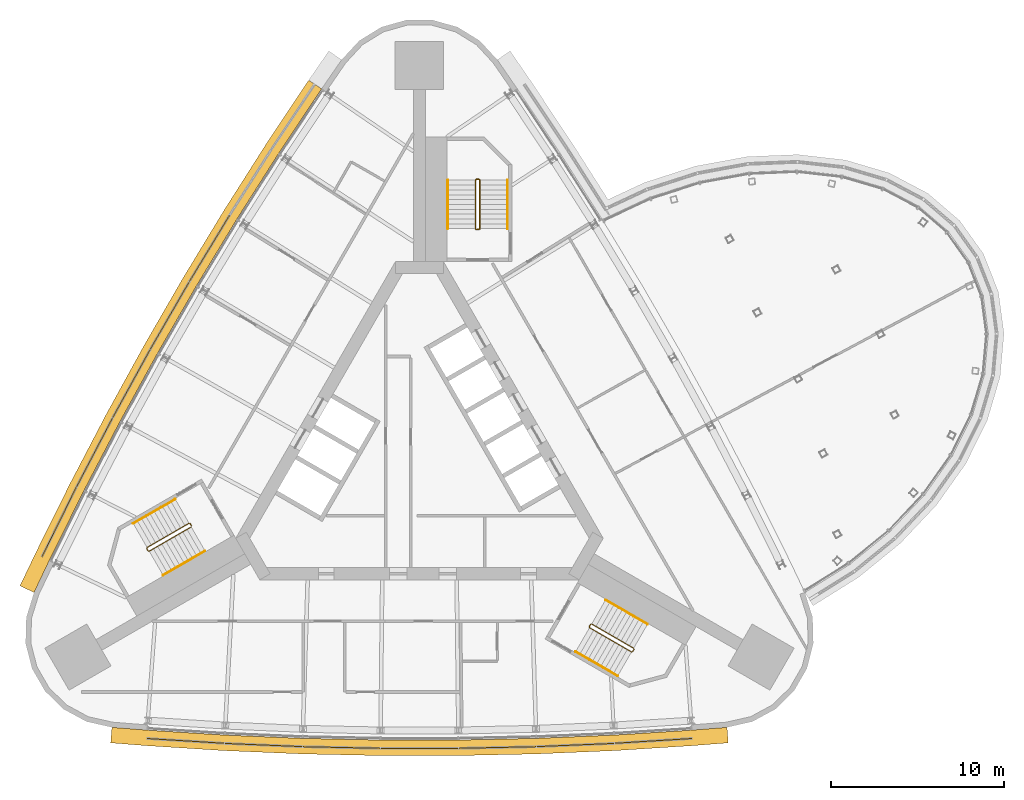
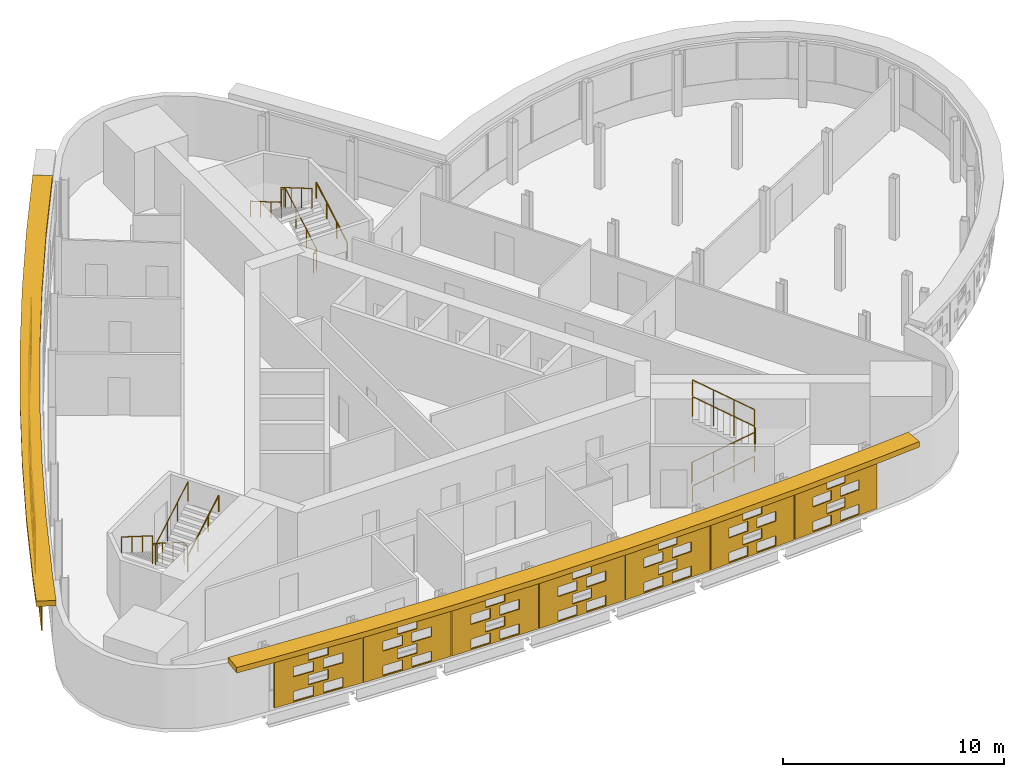
# One storey, part 13 of 15: 14 shading devices, 9 railings.
"""IFC4 building model written with IfcOpenShell, lengths in metres."""

import ifcopenshell
import ifcopenshell.guid

model = None  # the IFC model being written
_history = None  # IfcOwnerHistory: only IFC2X3 demands one
_inside = {}  # id of a spatial element -> (the spatial element, [elements in it])
_under = {}  # id of a project, library or spatial element -> (it, [spatial elements below it])
_declared = {}  # id of a project -> (the project, [libraries it declares])
_typed = {}  # id of a type object -> (the type object, [elements of that type])
_made_of = {}  # id of a material, layer set ... -> (it, [elements and type objects made of it])


def new_model(schema):
    """Start an empty IFC model of exactly this schema.

    Asked for "IFC4X3", IfcOpenShell would pick the latest addendum, in which some entities
    have other attributes; the version numbers below select the first issue.
    IFC2X3 requires an IfcOwnerHistory on every rooted entity: one is made here for all.
    """
    global model, _history
    if schema == "IFC4X3":
        model = ifcopenshell.file(schema_version=(4, 3, 0, 0))
    else:
        model = ifcopenshell.file(schema=schema)
    _inside.clear()
    _under.clear()
    _declared.clear()
    _typed.clear()
    _made_of.clear()
    _history = None
    if model.schema == "IFC2X3":
        org = make("IfcOrganization", Name="unknown")
        user = make(
            "IfcPersonAndOrganization",
            ThePerson=make("IfcPerson", FamilyName="unknown"),
            TheOrganization=org,
        )
        app = make(
            "IfcApplication",
            ApplicationDeveloper=org,
            Version="unknown",
            ApplicationFullName="unknown",
            ApplicationIdentifier="unknown",
        )
        _history = make(
            "IfcOwnerHistory",
            OwningUser=user,
            OwningApplication=app,
            ChangeAction="ADDED",
            CreationDate=0,
        )
    return model


def make(cls, **values):
    """One entity of the class cls with the attributes given. An attribute that is None is left unset."""
    return model.create_entity(
        cls, **{name: value for name, value in values.items() if value is not None}
    )


def rooted(cls, **values):
    """An entity with a GlobalId (a new one), such as an element, a storey or a relation."""
    return make(cls, GlobalId=ifcopenshell.guid.new(), OwnerHistory=_history, **values)


def si_unit(unit_type, name, prefix=None):
    """IfcSIUnit, for example si_unit("LENGTHUNIT", "METRE", prefix="MILLI")."""
    return make("IfcSIUnit", UnitType=unit_type, Prefix=prefix, Name=name)


def assignment(units):
    """IfcUnitAssignment: the units of a project."""
    return None if units is None else make("IfcUnitAssignment", Units=units)


def point(xyz):
    """IfcCartesianPoint."""
    return None if xyz is None else make("IfcCartesianPoint", Coordinates=xyz)


def direction(xyz):
    """IfcDirection."""
    return None if xyz is None else make("IfcDirection", DirectionRatios=xyz)


def frame(location, z_axis=None, x_axis=None):
    """IfcAxis2Placement3D, a coordinate frame: its origin and axes. An axis left out is left unset."""
    return make(
        "IfcAxis2Placement3D",
        Location=point(location),
        Axis=direction(z_axis),
        RefDirection=direction(x_axis),
    )


def frame_2d(location, x_axis=None):
    """IfcAxis2Placement2D, a coordinate frame in the plane: its origin and x axis."""
    return make(
        "IfcAxis2Placement2D", Location=point(location), RefDirection=direction(x_axis)
    )


def origin():
    """The frame at (0, 0, 0) with its axes left unset."""
    return frame((0.0, 0.0, 0.0))


def origin_2d():
    """The frame at (0, 0) in the plane with its x axis left unset."""
    return frame_2d((0.0, 0.0))


def place(relative_to, where):
    """IfcLocalPlacement: puts the frame where relative to a parent placement (None: the world)."""
    return make(
        "IfcLocalPlacement", PlacementRelTo=relative_to, RelativePlacement=where
    )


def context(
    kind, dimensions, precision=None, world=None, true_north=None, identifier=None
):
    """IfcGeometricRepresentationContext, for example the 3D "Model" context."""
    return make(
        "IfcGeometricRepresentationContext",
        ContextIdentifier=identifier,
        ContextType=kind,
        CoordinateSpaceDimension=dimensions,
        Precision=precision,
        WorldCoordinateSystem=world,
        TrueNorth=true_north,
    )


def subcontext(parent, identifier, kind, view, scale=None):
    """IfcGeometricRepresentationSubContext, for example "Body" below "Model"."""
    return make(
        "IfcGeometricRepresentationSubContext",
        ContextIdentifier=identifier,
        ContextType=kind,
        ParentContext=parent,
        TargetScale=scale,
        TargetView=view,
    )


def project(units=None, contexts=None):
    """IfcProject with its units and contexts."""
    return rooted(
        "IfcProject",
        Name="project",
        RepresentationContexts=contexts,
        UnitsInContext=assignment(units),
    )


def spatial(cls, under=None, at=None, **own):
    """A site, building, storey or space (cls), placed at a placement, below another one or the project."""
    s = rooted(cls, ObjectPlacement=at, **own)
    if under is not None:
        _under.setdefault(under.id(), (under, []))[1].append(s)
    return s


def polyline(points):
    """IfcPolyline through the points."""
    return make("IfcPolyline", Points=[point(p) for p in points])


def profile(cls, at=None, kind="AREA", **sizes):
    """A parametric profile (cls). Its sizes go by their IFC names, for example OverallWidth=200.0."""
    return make(cls, ProfileType=kind, Position=at, **sizes)


def circle(**sizes):
    """IfcCircleProfileDef."""
    return profile("IfcCircleProfileDef", **sizes)


def outline(outer, holes=None, kind="AREA"):
    """IfcArbitraryClosedProfileDef: a profile drawn as a closed curve; with holes, ...WithVoids."""
    if holes is None:
        return make("IfcArbitraryClosedProfileDef", ProfileType=kind, OuterCurve=outer)
    return make(
        "IfcArbitraryProfileDefWithVoids",
        ProfileType=kind,
        OuterCurve=outer,
        InnerCurves=holes,
    )


def extrude(swept, where, along, depth):
    """IfcExtrudedAreaSolid: the profile swept, set in the frame where, extruded along a direction by depth."""
    return make(
        "IfcExtrudedAreaSolid",
        SweptArea=swept,
        Position=where,
        ExtrudedDirection=direction(along),
        Depth=depth,
    )


def shape(context_of_items, identifier, shape_type, items):
    """IfcShapeRepresentation: the items that make up one representation, for example the "Body"."""
    return make(
        "IfcShapeRepresentation",
        ContextOfItems=context_of_items,
        RepresentationIdentifier=identifier,
        RepresentationType=shape_type,
        Items=items,
    )


def material(Name=None, Category=None):
    """IfcMaterial."""
    return make("IfcMaterial", Name=Name, Category=Category)


def material_profile(
    of_material, cross_section, Name=None, Category=None, Priority=None
):
    """IfcMaterialProfile: a cross section and its material."""
    return make(
        "IfcMaterialProfile",
        Name=Name,
        Material=of_material,
        Profile=cross_section,
        Priority=Priority,
        Category=Category,
    )


def profile_set(profiles, Name=None, composite=None):
    """IfcMaterialProfileSet."""
    return make(
        "IfcMaterialProfileSet",
        Name=Name,
        MaterialProfiles=profiles,
        CompositeProfile=composite,
    )


def made_of(thing, what):
    """Note that an element or type object is made of a material, layer set ...; save() writes the relation."""
    if what is not None:
        _made_of.setdefault(what.id(), (what, []))[1].append(thing)
    return thing


def type_object(cls, material=None, **own):
    """A type object (cls), such as IfcWallType, which elements share."""
    return made_of(rooted(cls, **own), material)


def element(
    cls,
    number,
    at=None,
    inside=None,
    cuts=None,
    type_object=None,
    material=None,
    context=None,
    identifier="Body",
    shape_type=None,
    held_by="IfcProductDefinitionShape",
    body=None,
    shapes=None,
    **own,
):
    """One element of the class cls, such as IfcWall. Its Tag is "e" and its number.

    at: its placement. inside: the storey or other place that contains it. cuts: it is an
    opening in that element (IfcRelVoidsElement). A single representation is given by context,
    identifier, shape_type and body (its items); several are given by shapes. held_by: the class
    of the entity that holds the representations. save() writes the other relations.
    """
    e = rooted(cls, Tag="e%d" % number, ObjectPlacement=at, **own)
    if body is not None:
        shapes = [shape(context, identifier, shape_type, body)]
    if shapes is not None:
        e.Representation = make(held_by, Representations=shapes)
    if inside is not None:
        _inside.setdefault(inside.id(), (inside, []))[1].append(e)
    if cuts is not None:
        rooted(
            "IfcRelVoidsElement", RelatingBuildingElement=cuts, RelatedOpeningElement=e
        )
    if type_object is not None:
        _typed.setdefault(type_object.id(), (type_object, []))[1].append(e)
    return made_of(e, material)


def aggregate(whole, parts):
    """IfcRelAggregates: a whole, such as a stair, and the parts it consists of."""
    return rooted("IfcRelAggregates", RelatingObject=whole, RelatedObjects=parts)


def save(model, path):
    """Write the relations noted so far, then the file.

    IfcRelAggregates (storeys below a building ...), IfcRelContainedInSpatialStructure (elements
    in a storey), IfcRelDefinesByType, IfcRelAssociatesMaterial and IfcRelDeclares: one each for
    every whole, place, type object, material and project.
    """
    for whole, parts in _under.values():
        aggregate(whole, parts)
    for where, things in _inside.values():
        rooted(
            "IfcRelContainedInSpatialStructure",
            RelatedElements=things,
            RelatingStructure=where,
        )
    for kind, things in _typed.values():
        rooted("IfcRelDefinesByType", RelatedObjects=things, RelatingType=kind)
    for what, things in _made_of.values():
        rooted("IfcRelAssociatesMaterial", RelatedObjects=things, RelatingMaterial=what)
    for by, libraries in _declared.values():
        rooted("IfcRelDeclares", RelatingContext=by, RelatedDefinitions=libraries)
    model.write(path)


model = new_model("IFC4")

# Units and contexts
model_context = context("Model", 3, precision=1e-05, world=origin(), true_north=direction((0.0, 1.0)))
body_context = subcontext(model_context, "Body", "Model", "MODEL_VIEW")
ifc_project = project(units=[si_unit("LENGTHUNIT", "METRE"), si_unit("AREAUNIT", "SQUARE_METRE"), si_unit("VOLUMEUNIT", "CUBIC_METRE"), si_unit("PLANEANGLEUNIT", "RADIAN"), si_unit("MASSUNIT", "GRAM", prefix="KILO")], contexts=[model_context])

# Site, building, storey
site_placement = place(None, origin())
site = spatial("IfcSite", under=ifc_project, at=site_placement, CompositionType="ELEMENT")
building_placement = place(site_placement, origin())
building = spatial("IfcBuilding", under=site, at=building_placement, Name="Noor Cloister Tower", CompositionType="ELEMENT")
storey_placement = place(building_placement, frame((0.0, 0.0, 174.300048828125)))
storey = spatial("IfcBuildingStorey", under=building, at=storey_placement, Name="L44", CompositionType="ELEMENT", Elevation=174.300048828125)

# Shading devices
ifc_material_1 = material(Name="Limestone", Category="masonry")
ifc_material_profile = material_profile(ifc_material_1, outline(polyline([(-2.22998046875, -1.35009765625), (2.22998046875, -1.35009765625), (2.22998046875, 1.35009765625), (-2.22998046875, 1.35009765625), (-2.22998046875, -1.35009765625)]), holes=[polyline([(-1.25, -1.282470703125), (-0.25, -1.282470703125), (-0.25, -0.742431640625), (-1.25, -0.742431640625), (-1.25, -1.282470703125)]), polyline([(0.25, -1.282470703125), (1.25, -1.282470703125), (1.25, -0.742431640625), (0.25, -0.742431640625), (0.25, -1.282470703125)]), polyline([(-0.5, -0.607421875), (0.5, -0.607421875), (0.5, -0.0673828125), (-0.5, -0.0673828125), (-0.5, -0.607421875)]), polyline([(-1.25, 0.0673828125), (-0.25, 0.0673828125), (-0.25, 0.607421875), (-1.25, 0.607421875), (-1.25, 0.0673828125)]), polyline([(0.25, 0.0673828125), (1.25, 0.0673828125), (1.25, 0.607421875), (0.25, 0.607421875), (0.25, 0.0673828125)]), polyline([(-0.5, 0.742431640625), (0.5, 0.742431640625), (0.5, 1.282470703125), (-0.5, 1.282470703125), (-0.5, 0.742431640625)])]), Name="Woven screen 32 percent open")
ifc_profile_set = profile_set([ifc_material_profile], Name="Limestone")
shading_device_type_1 = type_object("IfcShadingDeviceType", Name="SCREEN woven limestone 32 percent open", PredefinedType="USERDEFINED", material=ifc_profile_set)
shading_device_1_placement = place(storey_placement, frame((-12.10888671875, 12.197509765625, 1.849853515625), z_axis=(-0.854980050906, 0.518660883962, 0.0), x_axis=(-0.518660883962, -0.854980050906, 0.0)))
element("IfcShadingDevice", 1, at=shading_device_1_placement, inside=storey, type_object=shading_device_type_1, Name="SCREEN L44 3", ObjectType="SCREEN", PredefinedType="USERDEFINED", context=body_context, shape_type="SweptSolid", body=[
    extrude(outline(polyline([(-2.22998046875, -1.35009765625), (2.22998046875, -1.35009765625), (2.22998046875, 1.35009765625), (-2.22998046875, 1.35009765625), (-2.22998046875, -1.35009765625)]), holes=[polyline([(-1.25, -1.282470703125), (-0.25, -1.282470703125), (-0.25, -0.742431640625), (-1.25, -0.742431640625), (-1.25, -1.282470703125)]), polyline([(0.25, -1.282470703125), (1.25, -1.282470703125), (1.25, -0.742431640625), (0.25, -0.742431640625), (0.25, -1.282470703125)]), polyline([(-0.5, -0.607421875), (0.5, -0.607421875), (0.5, -0.0673828125), (-0.5, -0.0673828125), (-0.5, -0.607421875)]), polyline([(-1.25, 0.0673828125), (-0.25, 0.0673828125), (-0.25, 0.607421875), (-1.25, 0.607421875), (-1.25, 0.0673828125)]), polyline([(0.25, 0.0673828125), (1.25, 0.0673828125), (1.25, 0.607421875), (0.25, 0.607421875), (0.25, 0.0673828125)]), polyline([(-0.5, 0.742431640625), (0.5, 0.742431640625), (0.5, 1.282470703125), (-0.5, 1.282470703125), (-0.5, 0.742431640625)])]), origin(), (0.0, 0.0, 1.0), 0.060302734375),
])
shading_device_2_placement = place(storey_placement, frame((-14.40478515625, 8.316650390625, 1.849853515625), z_axis=(-0.865982457891, 0.500074377092, 0.0), x_axis=(-0.500074377092, -0.865982457891, 0.0)))
element("IfcShadingDevice", 2, at=shading_device_2_placement, inside=storey, type_object=shading_device_type_1, Name="SCREEN L44 4", ObjectType="SCREEN", PredefinedType="USERDEFINED", context=body_context, shape_type="SweptSolid", body=[
    extrude(outline(polyline([(-2.22998046875, -1.35009765625), (2.22998046875, -1.35009765625), (2.22998046875, 1.35009765625), (-2.22998046875, 1.35009765625), (-2.22998046875, -1.35009765625)]), holes=[polyline([(-1.25, -1.282470703125), (-0.25, -1.282470703125), (-0.25, -0.742431640625), (-1.25, -0.742431640625), (-1.25, -1.282470703125)]), polyline([(0.25, -1.282470703125), (1.25, -1.282470703125), (1.25, -0.742431640625), (0.25, -0.742431640625), (0.25, -1.282470703125)]), polyline([(-0.5, -0.607421875), (0.5, -0.607421875), (0.5, -0.0673828125), (-0.5, -0.0673828125), (-0.5, -0.607421875)]), polyline([(-1.25, 0.0673828125), (-0.25, 0.0673828125), (-0.25, 0.607421875), (-1.25, 0.607421875), (-1.25, 0.0673828125)]), polyline([(0.25, 0.0673828125), (1.25, 0.0673828125), (1.25, 0.607421875), (0.25, 0.607421875), (0.25, 0.0673828125)]), polyline([(-0.5, 0.742431640625), (0.5, 0.742431640625), (0.5, 1.282470703125), (-0.5, 1.282470703125), (-0.5, 0.742431640625)])]), origin(), (0.0, 0.0, 1.0), 0.06005859375),
])
shading_device_3_placement = place(storey_placement, frame((-16.617919921875, 4.387939453125, 1.849853515625), z_axis=(-0.876645997325, 0.481135942718, 0.0), x_axis=(-0.481135942718, -0.876645997325, 0.0)))
element("IfcShadingDevice", 3, at=shading_device_3_placement, inside=storey, type_object=shading_device_type_1, Name="SCREEN L44 5", ObjectType="SCREEN", PredefinedType="USERDEFINED", context=body_context, shape_type="SweptSolid", body=[
    extrude(outline(polyline([(-2.22998046875, -1.35009765625), (2.22998046875, -1.35009765625), (2.22998046875, 1.35009765625), (-2.22998046875, 1.35009765625), (-2.22998046875, -1.35009765625)]), holes=[polyline([(-1.25, -1.282470703125), (-0.25, -1.282470703125), (-0.25, -0.742431640625), (-1.25, -0.742431640625), (-1.25, -1.282470703125)]), polyline([(0.25, -1.282470703125), (1.25, -1.282470703125), (1.25, -0.742431640625), (0.25, -0.742431640625), (0.25, -1.282470703125)]), polyline([(-0.5, -0.607421875), (0.5, -0.607421875), (0.5, -0.0673828125), (-0.5, -0.0673828125), (-0.5, -0.607421875)]), polyline([(-1.25, 0.0673828125), (-0.25, 0.0673828125), (-0.25, 0.607421875), (-1.25, 0.607421875), (-1.25, 0.0673828125)]), polyline([(0.25, 0.0673828125), (1.25, 0.0673828125), (1.25, 0.607421875), (0.25, 0.607421875), (0.25, 0.0673828125)]), polyline([(-0.5, 0.742431640625), (0.5, 0.742431640625), (0.5, 1.282470703125), (-0.5, 1.282470703125), (-0.5, 0.742431640625)])]), origin(), (0.0, 0.0, 1.0), 0.059814453125),
])
for number, where, z_axis, x_axis, name in (
    (4, (-18.747314453125, 0.4130859375, 1.849853515625), (-0.886149575817, 0.463399319464, 0.0), (-0.463399319464, -0.886149575817, 0.0), "SCREEN L44 6"),
    (5, (-20.7919921875, -3.605712890625, 1.849853515625), (-0.896848817686, 0.442337199673, 0.0), (-0.442337199673, -0.896848817686, 0.0), "SCREEN L44 7"),
):
    element("IfcShadingDevice", number, at=place(storey_placement, frame(where, z_axis=z_axis, x_axis=x_axis)), inside=storey, type_object=shading_device_type_1, Name=name, ObjectType="SCREEN", PredefinedType="USERDEFINED", context=body_context, shape_type="SweptSolid", body=[
        extrude(outline(polyline([(-2.22998046875, -1.35009765625), (2.22998046875, -1.35009765625), (2.22998046875, 1.35009765625), (-2.22998046875, 1.35009765625), (-2.22998046875, -1.35009765625)]), holes=[polyline([(-1.25, -1.282470703125), (-0.25, -1.282470703125), (-0.25, -0.742431640625), (-1.25, -0.742431640625), (-1.25, -1.282470703125)]), polyline([(0.25, -1.282470703125), (1.25, -1.282470703125), (1.25, -0.742431640625), (0.25, -0.742431640625), (0.25, -1.282470703125)]), polyline([(-0.5, -0.607421875), (0.5, -0.607421875), (0.5, -0.0673828125), (-0.5, -0.0673828125), (-0.5, -0.607421875)]), polyline([(-1.25, 0.0673828125), (-0.25, 0.0673828125), (-0.25, 0.607421875), (-1.25, 0.607421875), (-1.25, 0.0673828125)]), polyline([(0.25, 0.0673828125), (1.25, 0.0673828125), (1.25, 0.607421875), (0.25, 0.607421875), (0.25, 0.0673828125)]), polyline([(-0.5, 0.742431640625), (0.5, 0.742431640625), (0.5, 1.282470703125), (-0.5, 1.282470703125), (-0.5, 0.742431640625)])]), origin(), (0.0, 0.0, 1.0), 0.06005859375),
    ])
for number, where, z_axis, x_axis, name in (
    (6, (-13.518798828125, -16.20361328125, 1.849853515625), (-0.06111006328, -0.998131033565, 0.0), (0.998131033565, -0.06111006328, 0.0), "SCREEN L44 1"),
    (7, (-9.015869140625, -16.4423828125, 1.849853515625), (-0.040782369514, -0.999168053101, 0.0), (0.999168053101, -0.040782369514, 0.0), "SCREEN L44 2"),
):
    element("IfcShadingDevice", number, at=place(storey_placement, frame(where, z_axis=z_axis, x_axis=x_axis)), inside=storey, type_object=shading_device_type_1, Name=name, ObjectType="SCREEN", PredefinedType="USERDEFINED", context=body_context, shape_type="SweptSolid", body=[
        extrude(outline(polyline([(-2.22998046875, -1.35009765625), (2.22998046875, -1.35009765625), (2.22998046875, 1.35009765625), (-2.22998046875, 1.35009765625), (-2.22998046875, -1.35009765625)]), holes=[polyline([(-1.25, -1.282470703125), (-0.25, -1.282470703125), (-0.25, -0.742431640625), (-1.25, -0.742431640625), (-1.25, -1.282470703125)]), polyline([(0.25, -1.282470703125), (1.25, -1.282470703125), (1.25, -0.742431640625), (0.25, -0.742431640625), (0.25, -1.282470703125)]), polyline([(-0.5, -0.607421875), (0.5, -0.607421875), (0.5, -0.0673828125), (-0.5, -0.0673828125), (-0.5, -0.607421875)]), polyline([(-1.25, 0.0673828125), (-0.25, 0.0673828125), (-0.25, 0.607421875), (-1.25, 0.607421875), (-1.25, 0.0673828125)]), polyline([(0.25, 0.0673828125), (1.25, 0.0673828125), (1.25, 0.607421875), (0.25, 0.607421875), (0.25, 0.0673828125)]), polyline([(-0.5, 0.742431640625), (0.5, 0.742431640625), (0.5, 1.282470703125), (-0.5, 1.282470703125), (-0.5, 0.742431640625)])]), origin(), (0.0, 0.0, 1.0), 0.059814453125),
    ])
for number, where, z_axis, x_axis, name in (
    (8, (-4.509033203125, -16.58544921875, 1.849853515625), (-0.020321006241, -0.999793507033, 0.0), (0.999793507033, -0.020321006241, 0.0), "SCREEN L44 3"),
    (9, (0.0, -16.63330078125, 1.849853515625), (0.0, -1.0, 0.0), (1.0, 0.0, 0.0), "SCREEN L44 4"),
    (10, (4.509033203125, -16.58544921875, 1.849853515625), (0.020321006241, -0.999793507033, 0.0), (0.999793507033, 0.020321006241, 0.0), "SCREEN L44 5"),
):
    element("IfcShadingDevice", number, at=place(storey_placement, frame(where, z_axis=z_axis, x_axis=x_axis)), inside=storey, type_object=shading_device_type_1, Name=name, ObjectType="SCREEN", PredefinedType="USERDEFINED", context=body_context, shape_type="SweptSolid", body=[
        extrude(outline(polyline([(-2.22998046875, -1.35009765625), (2.22998046875, -1.35009765625), (2.22998046875, 1.35009765625), (-2.22998046875, 1.35009765625), (-2.22998046875, -1.35009765625)]), holes=[polyline([(-1.25, -1.282470703125), (-0.25, -1.282470703125), (-0.25, -0.742431640625), (-1.25, -0.742431640625), (-1.25, -1.282470703125)]), polyline([(0.25, -1.282470703125), (1.25, -1.282470703125), (1.25, -0.742431640625), (0.25, -0.742431640625), (0.25, -1.282470703125)]), polyline([(-0.5, -0.607421875), (0.5, -0.607421875), (0.5, -0.0673828125), (-0.5, -0.0673828125), (-0.5, -0.607421875)]), polyline([(-1.25, 0.0673828125), (-0.25, 0.0673828125), (-0.25, 0.607421875), (-1.25, 0.607421875), (-1.25, 0.0673828125)]), polyline([(0.25, 0.0673828125), (1.25, 0.0673828125), (1.25, 0.607421875), (0.25, 0.607421875), (0.25, 0.0673828125)]), polyline([(-0.5, 0.742431640625), (0.5, 0.742431640625), (0.5, 1.282470703125), (-0.5, 1.282470703125), (-0.5, 0.742431640625)])]), origin(), (0.0, 0.0, 1.0), 0.06005859375),
    ])
for number, where, z_axis, x_axis, name in (
    (11, (9.015869140625, -16.4423828125, 1.849853515625), (0.040782369514, -0.999168053101, 0.0), (0.999168053101, 0.040782369514, 0.0), "SCREEN L44 6"),
    (12, (13.518798828125, -16.20361328125, 1.849853515625), (0.06111006328, -0.998131033565, 0.0), (0.998131033565, 0.06111006328, 0.0), "SCREEN L44 7"),
):
    element("IfcShadingDevice", number, at=place(storey_placement, frame(where, z_axis=z_axis, x_axis=x_axis)), inside=storey, type_object=shading_device_type_1, Name=name, ObjectType="SCREEN", PredefinedType="USERDEFINED", context=body_context, shape_type="SweptSolid", body=[
        extrude(outline(polyline([(-2.22998046875, -1.35009765625), (2.22998046875, -1.35009765625), (2.22998046875, 1.35009765625), (-2.22998046875, 1.35009765625), (-2.22998046875, -1.35009765625)]), holes=[polyline([(-1.25, -1.282470703125), (-0.25, -1.282470703125), (-0.25, -0.742431640625), (-1.25, -0.742431640625), (-1.25, -1.282470703125)]), polyline([(0.25, -1.282470703125), (1.25, -1.282470703125), (1.25, -0.742431640625), (0.25, -0.742431640625), (0.25, -1.282470703125)]), polyline([(-0.5, -0.607421875), (0.5, -0.607421875), (0.5, -0.0673828125), (-0.5, -0.0673828125), (-0.5, -0.607421875)]), polyline([(-1.25, 0.0673828125), (-0.25, 0.0673828125), (-0.25, 0.607421875), (-1.25, 0.607421875), (-1.25, 0.0673828125)]), polyline([(0.25, 0.0673828125), (1.25, 0.0673828125), (1.25, 0.607421875), (0.25, 0.607421875), (0.25, 0.0673828125)]), polyline([(-0.5, 0.742431640625), (0.5, 0.742431640625), (0.5, 1.282470703125), (-0.5, 1.282470703125), (-0.5, 0.742431640625)])]), origin(), (0.0, 0.0, 1.0), 0.059814453125),
    ])
ifc_material_2 = material(Name="Limestone", Category="masonry")
shading_device_type_2 = type_object("IfcShadingDeviceType", Name="SUNSHADE limestone band 900", PredefinedType="USERDEFINED", material=ifc_material_2)
shading_device_4_placement = place(storey_placement, frame((0.0, 0.0, 3.300048828125)))
element("IfcShadingDevice", 13, at=shading_device_4_placement, inside=storey, type_object=shading_device_type_2, Name="SUNSHADE L44 1", ObjectType="SUNSHADE", PredefinedType="USERDEFINED", context=body_context, shape_type="SweptSolid", body=[
    extrude(outline(polyline([(-6.401611328125, 21.931884765625), (-8.899658203125, 18.177490234375), (-11.322998046875, 14.36328125), (-13.664794921875, 10.498291015625), (-15.92431640625, 6.5849609375), (-18.100341796875, 2.624267578125), (-20.192138671875, -1.38134765625), (-22.197265625, -5.42822265625), (-23.077392578125, -7.275146484375), (-22.264892578125, -7.662353515625), (-21.387939453125, -5.821533203125), (-19.389892578125, -1.78955078125), (-17.30712890625, 2.19921875), (-15.14013671875, 6.14306640625), (-12.89013671875, 10.0400390625), (-10.55810546875, 13.888671875), (-8.145263671875, 17.68701171875), (-5.65234375, 21.43310546875), (-6.401611328125, 21.931884765625)])), origin(), (0.0, 0.0, 1.0), 0.2998046875),
])
shading_device_5_placement = place(storey_placement, frame((0.0, 0.0, 3.300048828125)))
element("IfcShadingDevice", 14, at=shading_device_5_placement, inside=storey, type_object=shading_device_type_2, Name="SUNSHADE L44 2", ObjectType="SUNSHADE", PredefinedType="USERDEFINED", context=body_context, shape_type="SweptSolid", body=[
    extrude(outline(polyline([(-17.839111328125, -16.34814453125), (-15.799560546875, -16.50927734375), (-11.29248046875, -16.796142578125), (-6.77734375, -16.987548828125), (-2.259521484375, -17.083251953125), (2.259521484375, -17.083251953125), (6.77734375, -16.987548828125), (11.29248046875, -16.796142578125), (15.799560546875, -16.50927734375), (17.839111328125, -16.34814453125), (17.76806640625, -15.450927734375), (15.735595703125, -15.611572265625), (11.24462890625, -15.8974609375), (6.748779296875, -16.087890625), (2.25, -16.183349609375), (-2.25, -16.183349609375), (-6.748779296875, -16.087890625), (-11.24462890625, -15.8974609375), (-15.735595703125, -15.611572265625), (-17.76806640625, -15.450927734375), (-17.839111328125, -16.34814453125)])), origin(), (0.0, 0.0, 1.0), 0.2998046875),
])

# Railings
ifc_material_3 = material(Name="Stainless steel", Category="steel")
railing_type_1 = type_object("IfcRailingType", Name="Stair guard 1100", PredefinedType="GUARDRAIL", material=ifc_material_3)
railing_1_placement = place(storey_placement, frame((3.435546875, 13.306396484375, 0.0)))
element("IfcRailing", 15, at=railing_1_placement, inside=storey, type_object=railing_type_1, Name="Stair guard ST1 L44", PredefinedType="GUARDRAIL", context=body_context, shape_type="SweptSolid", body=[
    extrude(circle(Radius=0.02392578125, at=origin_2d()), frame((0.0, 0.0, 1.076171875), z_axis=(-1.0, 0.0, 0.0), x_axis=(0.0, -1.0, 0.0)), (0.0, 0.0, 1.0), 0.14990234375),
    extrude(circle(Radius=0.02392578125, at=origin_2d()), frame((-0.14990234375, 0.0, 1.076171875), z_axis=(0.759870394187, 0.190199549216, 0.621627795), x_axis=(-0.242814311512, 0.970072785993, 0.0)), (0.0, 0.0, 1.0), 0.26318359375),
    extrude(circle(Radius=0.02392578125, at=origin_2d()), frame((0.050048828125, 0.050048828125, 1.23974609375), z_axis=(0.0, 0.863360870873, 0.504586966384), x_axis=(-1.0, 0.0, 0.0)), (0.0, 0.0, 1.0), 3.2431640625),
    extrude(circle(Radius=0.02392578125, at=origin_2d()), frame((0.050048828125, 2.85009765625, 2.8759765625), z_axis=(-0.708833529934, 0.705375805398, 0.0), x_axis=(-0.705375805398, -0.708833529934, 0.0)), (0.0, 0.0, 1.0), 0.070556640625),
    extrude(circle(Radius=0.02392578125, at=origin_2d()), frame((0.0, 2.89990234375, 2.8759765625), z_axis=(-1.0, 0.0, 0.0), x_axis=(0.0, -1.0, 0.0)), (0.0, 0.0, 1.0), 0.14990234375),
    extrude(circle(Radius=0.02392578125, at=origin_2d()), frame((-0.14990234375, 2.89990234375, 2.8759765625), z_axis=(-0.280916556609, -0.279546231943, 0.91811752648), x_axis=(0.705375805398, -0.708833529934, 0.0)), (0.0, 0.0, 1.0), 0.17822265625),
    extrude(circle(Radius=0.02392578125, at=origin_2d()), frame((-0.199951171875, 2.85009765625, 3.03955078125), z_axis=(0.0, -0.863393664356, 0.504530851732), x_axis=(1.0, 0.0, 0.0)), (0.0, 0.0, 1.0), 3.2431640625),
    extrude(circle(Radius=0.02099609375, at=origin_2d()), origin(), (0.0, 0.0, 1.0), 1.052001953125),
    extrude(circle(Radius=0.02099609375, at=origin_2d()), frame((-0.14990234375, 0.0, 0.0)), (0.0, 0.0, 1.0), 1.052001953125),
    extrude(circle(Radius=0.02099609375, at=origin_2d()), frame((0.050048828125, 0.050048828125, 0.16357421875)), (0.0, 0.0, 1.0), 1.052001953125),
    extrude(circle(Radius=0.02099609375, at=origin_2d()), frame((0.050048828125, 0.9833984375, 0.708984375)), (0.0, 0.0, 1.0), 1.052001953125),
    extrude(circle(Radius=0.02099609375, at=origin_2d()), frame((0.050048828125, 1.916748046875, 1.254638671875)), (0.0, 0.0, 1.0), 1.052001953125),
    extrude(circle(Radius=0.02099609375, at=origin_2d()), frame((0.050048828125, 2.85009765625, 1.800048828125)), (0.0, 0.0, 1.0), 1.052001953125),
    extrude(circle(Radius=0.02099609375, at=origin_2d()), frame((0.0, 2.89990234375, 1.800048828125)), (0.0, 0.0, 1.0), 1.052001953125),
    extrude(circle(Radius=0.02099609375, at=origin_2d()), frame((-0.14990234375, 2.89990234375, 1.800048828125)), (0.0, 0.0, 1.0), 1.052001953125),
    extrude(circle(Radius=0.02099609375, at=origin_2d()), frame((-0.199951171875, 2.85009765625, 1.963623046875)), (0.0, 0.0, 1.0), 1.052001953125),
    extrude(circle(Radius=0.02099609375, at=origin_2d()), frame((-0.199951171875, 1.916748046875, 2.509033203125)), (0.0, 0.0, 1.0), 1.052001953125),
    extrude(circle(Radius=0.02099609375, at=origin_2d()), frame((-0.199951171875, 0.9833984375, 3.054443359375)), (0.0, 0.0, 1.0), 1.052001953125),
    extrude(circle(Radius=0.02099609375, at=origin_2d()), frame((-0.199951171875, 0.050048828125, 3.599853515625)), (0.0, 0.0, 1.0), 1.052001953125),
])
railing_2_placement = place(storey_placement, frame((-13.241455078125, -3.677734375, 0.0)))
element("IfcRailing", 16, at=railing_2_placement, inside=storey, type_object=railing_type_1, Name="Stair guard ST2 L44", PredefinedType="GUARDRAIL", context=body_context, shape_type="SweptSolid", body=[
    extrude(circle(Radius=0.02392578125, at=origin_2d()), frame((0.0, 0.0, 1.076171875), z_axis=(0.499112439033, -0.866537231285, 0.0), x_axis=(0.866537231285, 0.499112439033, 0.0)), (0.0, 0.0, 1.0), 0.150146484375),
    extrude(circle(Radius=0.02392578125, at=origin_2d()), frame((0.074951171875, -0.130126953125, 1.076171875), z_axis=(-0.544565797804, 0.563119998752, 0.621565731736), x_axis=(-0.718850276695, -0.695164929852, 0.0)), (0.0, 0.0, 1.0), 0.26318359375),
    extrude(circle(Radius=0.02392578125, at=origin_2d()), frame((-0.068359375, 0.01806640625, 1.23974609375), z_axis=(-0.747689811644, -0.431660630283, 0.504607813879), x_axis=(0.49998411664, -0.866034573852, 0.0)), (0.0, 0.0, 1.0), 3.2431640625),
    extrude(circle(Radius=0.02392578125, at=origin_2d()), frame((-2.4931640625, -1.3818359375, 2.8759765625), z_axis=(-0.258736085224, -0.965948051503, 0.0), x_axis=(0.965948051503, -0.258736085224, 0.0)), (0.0, 0.0, 1.0), 0.07080078125),
    extrude(circle(Radius=0.02392578125, at=origin_2d()), frame((-2.511474609375, -1.4501953125, 2.8759765625), z_axis=(0.499816412211, -0.866131372301, 0.0), x_axis=(0.866131372301, 0.499816412211, 0.0)), (0.0, 0.0, 1.0), 0.14990234375),
    extrude(circle(Radius=0.02392578125, at=origin_2d()), frame((-2.4365234375, -1.580078125, 2.8759765625), z_axis=(0.383552647116, -0.102737316192, 0.917786691313), x_axis=(0.258736085224, 0.965948051503, 0.0)), (0.0, 0.0, 1.0), 0.17822265625),
    extrude(circle(Radius=0.02392578125, at=origin_2d()), frame((-2.3681640625, -1.598388671875, 3.03955078125), z_axis=(0.747693913401, 0.431738279637, 0.504535300807), x_axis=(-0.500049511043, 0.865996816683, 0.0)), (0.0, 0.0, 1.0), 3.2431640625),
    extrude(circle(Radius=0.02099609375, at=origin_2d()), origin(), (0.0, 0.0, 1.0), 1.052001953125),
    extrude(circle(Radius=0.02099609375, at=origin_2d()), frame((0.074951171875, -0.130126953125, 0.0)), (0.0, 0.0, 1.0), 1.052001953125),
    extrude(circle(Radius=0.02099609375, at=origin_2d()), frame((-0.068359375, 0.01806640625, 0.16357421875)), (0.0, 0.0, 1.0), 1.052001953125),
    extrude(circle(Radius=0.02099609375, at=origin_2d()), frame((-0.876708984375, -0.448486328125, 0.708984375)), (0.0, 0.0, 1.0), 1.052001953125),
    extrude(circle(Radius=0.02099609375, at=origin_2d()), frame((-1.684814453125, -0.915283203125, 1.254638671875)), (0.0, 0.0, 1.0), 1.052001953125),
    extrude(circle(Radius=0.02099609375, at=origin_2d()), frame((-2.4931640625, -1.3818359375, 1.800048828125)), (0.0, 0.0, 1.0), 1.052001953125),
    extrude(circle(Radius=0.02099609375, at=origin_2d()), frame((-2.511474609375, -1.4501953125, 1.800048828125)), (0.0, 0.0, 1.0), 1.052001953125),
    extrude(circle(Radius=0.02099609375, at=origin_2d()), frame((-2.4365234375, -1.580078125, 1.800048828125)), (0.0, 0.0, 1.0), 1.052001953125),
    extrude(circle(Radius=0.02099609375, at=origin_2d()), frame((-2.3681640625, -1.598388671875, 1.963623046875)), (0.0, 0.0, 1.0), 1.052001953125),
    extrude(circle(Radius=0.02099609375, at=origin_2d()), frame((-1.559814453125, -1.131591796875, 2.509033203125)), (0.0, 0.0, 1.0), 1.052001953125),
    extrude(circle(Radius=0.02099609375, at=origin_2d()), frame((-0.751708984375, -0.6650390625, 3.054443359375)), (0.0, 0.0, 1.0), 1.052001953125),
    extrude(circle(Radius=0.02099609375, at=origin_2d()), frame((0.056640625, -0.1982421875, 3.599853515625)), (0.0, 0.0, 1.0), 1.052001953125),
])
railing_3_placement = place(storey_placement, frame((9.805908203125, -9.628662109375, 0.0)))
element("IfcRailing", 17, at=railing_3_placement, inside=storey, type_object=railing_type_1, Name="Stair guard ST3 L44", PredefinedType="GUARDRAIL", context=body_context, shape_type="SweptSolid", body=[
    extrude(circle(Radius=0.02392578125, at=origin_2d()), frame((0.0, 0.0, 1.076171875), z_axis=(0.499112439033, 0.866537231285, 0.0), x_axis=(-0.866537231285, 0.499112439033, 0.0)), (0.0, 0.0, 1.0), 0.150146484375),
    extrude(circle(Radius=0.02392578125, at=origin_2d()), frame((0.074951171875, 0.130126953125, 1.076171875), z_axis=(-0.215214839654, -0.753251938789, 0.621525614518), x_axis=(0.961523947641, -0.274721127897, 0.0)), (0.0, 0.0, 1.0), 0.26318359375),
    extrude(circle(Radius=0.02392578125, at=origin_2d()), frame((0.018310546875, -0.068115234375, 1.23974609375), z_axis=(0.747665513933, -0.431721881032, 0.504591415616), x_axis=(0.500049511043, 0.865996816683, 0.0)), (0.0, 0.0, 1.0), 3.2431640625),
    extrude(circle(Radius=0.02392578125, at=origin_2d()), frame((2.443115234375, -1.46826171875, 2.8759765625), z_axis=(0.965948051503, 0.258736085224, 0.0), x_axis=(-0.258736085224, 0.965948051503, 0.0)), (0.0, 0.0, 1.0), 0.07080078125),
    extrude(circle(Radius=0.02392578125, at=origin_2d()), frame((2.511474609375, -1.449951171875, 2.8759765625), z_axis=(0.499816412211, 0.866131372301, 0.0), x_axis=(-0.866131372301, 0.499816412211, 0.0)), (0.0, 0.0, 1.0), 0.14990234375),
    extrude(circle(Radius=0.02392578125, at=origin_2d()), frame((2.58642578125, -1.320068359375, 2.8759765625), z_axis=(-0.102737316192, 0.383552647116, 0.917786691313), x_axis=(-0.965948051503, -0.258736085224, 0.0)), (0.0, 0.0, 1.0), 0.17822265625),
    extrude(circle(Radius=0.02392578125, at=origin_2d()), frame((2.568115234375, -1.251708984375, 3.03955078125), z_axis=(-0.74771821388, 0.431677027627, 0.504551698492), x_axis=(-0.49998411664, -0.866034573852, 0.0)), (0.0, 0.0, 1.0), 3.242919921875),
    extrude(circle(Radius=0.02099609375, at=origin_2d()), origin(), (0.0, 0.0, 1.0), 1.052001953125),
    extrude(circle(Radius=0.02099609375, at=origin_2d()), frame((0.074951171875, 0.130126953125, 0.0)), (0.0, 0.0, 1.0), 1.052001953125),
    extrude(circle(Radius=0.02099609375, at=origin_2d()), frame((0.018310546875, -0.068115234375, 0.16357421875)), (0.0, 0.0, 1.0), 1.052001953125),
    extrude(circle(Radius=0.02099609375, at=origin_2d()), frame((0.82666015625, -0.534912109375, 0.708984375)), (0.0, 0.0, 1.0), 1.052001953125),
    extrude(circle(Radius=0.02099609375, at=origin_2d()), frame((1.634765625, -1.00146484375, 1.254638671875)), (0.0, 0.0, 1.0), 1.052001953125),
    extrude(circle(Radius=0.02099609375, at=origin_2d()), frame((2.443115234375, -1.46826171875, 1.800048828125)), (0.0, 0.0, 1.0), 1.052001953125),
    extrude(circle(Radius=0.02099609375, at=origin_2d()), frame((2.511474609375, -1.449951171875, 1.800048828125)), (0.0, 0.0, 1.0), 1.052001953125),
    extrude(circle(Radius=0.02099609375, at=origin_2d()), frame((2.58642578125, -1.320068359375, 1.800048828125)), (0.0, 0.0, 1.0), 1.052001953125),
    extrude(circle(Radius=0.02099609375, at=origin_2d()), frame((2.568115234375, -1.251708984375, 1.963623046875)), (0.0, 0.0, 1.0), 1.052001953125),
    extrude(circle(Radius=0.02099609375, at=origin_2d()), frame((1.759765625, -0.78515625, 2.509033203125)), (0.0, 0.0, 1.0), 1.052001953125),
    extrude(circle(Radius=0.02099609375, at=origin_2d()), frame((0.95166015625, -0.318359375, 3.054443359375)), (0.0, 0.0, 1.0), 1.052001953125),
    extrude(circle(Radius=0.02099609375, at=origin_2d()), frame((0.143310546875, 0.148193359375, 3.599853515625)), (0.0, 0.0, 1.0), 1.052001953125),
])
ifc_material_4 = material(Name="Stainless steel", Category="steel")
railing_type_2 = type_object("IfcRailingType", Name="Stair handrail 900", PredefinedType="HANDRAIL", material=ifc_material_4)
railing_4_placement = place(storey_placement, frame((5.085693359375, 13.3564453125, 0.16357421875)))
element("IfcRailing", 18, at=railing_4_placement, inside=storey, type_object=railing_type_2, Name="Stair handrail ST1 L44 1", PredefinedType="HANDRAIL", context=body_context, shape_type="SweptSolid", body=[
    extrude(circle(Radius=0.02392578125, at=origin_2d()), frame((0.0, 0.0, 0.8759765625), z_axis=(0.0, 0.863360870873, 0.504586966384), x_axis=(-1.0, 0.0, 0.0)), (0.0, 0.0, 1.0), 3.2431640625),
    extrude(circle(Radius=0.02099609375, at=origin_2d()), origin(), (0.0, 0.0, 1.0), 0.851806640625),
    extrude(circle(Radius=0.02099609375, at=origin_2d()), frame((0.0, 0.933349609375, 0.54541015625)), (0.0, 0.0, 1.0), 0.851806640625),
    extrude(circle(Radius=0.02099609375, at=origin_2d()), frame((0.0, 1.86669921875, 1.091064453125)), (0.0, 0.0, 1.0), 0.851806640625),
    extrude(circle(Radius=0.02099609375, at=origin_2d()), frame((0.0, 2.800048828125, 1.636474609375)), (0.0, 0.0, 1.0), 0.851806640625),
])
railing_5_placement = place(storey_placement, frame((1.6357421875, 16.156494140625, 1.963623046875)))
element("IfcRailing", 19, at=railing_5_placement, inside=storey, type_object=railing_type_2, Name="Stair handrail ST1 L44 2", PredefinedType="HANDRAIL", context=body_context, shape_type="SweptSolid", body=[
    extrude(circle(Radius=0.02392578125, at=origin_2d()), frame((0.0, 0.0, 0.8759765625), z_axis=(0.0, -0.863393664356, 0.504530851732), x_axis=(1.0, 0.0, 0.0)), (0.0, 0.0, 1.0), 3.2431640625),
    extrude(circle(Radius=0.02099609375, at=origin_2d()), origin(), (0.0, 0.0, 1.0), 0.851806640625),
    extrude(circle(Radius=0.02099609375, at=origin_2d()), frame((0.0, -0.933349609375, 0.54541015625)), (0.0, 0.0, 1.0), 0.851806640625),
    extrude(circle(Radius=0.02099609375, at=origin_2d()), frame((0.0, -1.86669921875, 1.0908203125)), (0.0, 0.0, 1.0), 0.851806640625),
    extrude(circle(Radius=0.02099609375, at=origin_2d()), frame((0.0, -2.800048828125, 1.63623046875)), (0.0, 0.0, 1.0), 0.851806640625),
])
railing_6_placement = place(storey_placement, frame((-14.10986328125, -2.27392578125, 0.16357421875)))
element("IfcRailing", 20, at=railing_6_placement, inside=storey, type_object=railing_type_2, Name="Stair handrail ST2 L44 1", PredefinedType="HANDRAIL", context=body_context, shape_type="SweptSolid", body=[
    extrude(circle(Radius=0.02392578125, at=origin_2d()), frame((0.0, 0.0, 0.8759765625), z_axis=(-0.747689811644, -0.431660630283, 0.504607813879), x_axis=(0.49998411664, -0.866034573852, 0.0)), (0.0, 0.0, 1.0), 3.2431640625),
    extrude(circle(Radius=0.02099609375, at=origin_2d()), origin(), (0.0, 0.0, 1.0), 0.851806640625),
    extrude(circle(Radius=0.02099609375, at=origin_2d()), frame((-0.808349609375, -0.466552734375, 0.54541015625)), (0.0, 0.0, 1.0), 0.851806640625),
    extrude(circle(Radius=0.02099609375, at=origin_2d()), frame((-1.616455078125, -0.933349609375, 1.091064453125)), (0.0, 0.0, 1.0), 0.851806640625),
    extrude(circle(Radius=0.02099609375, at=origin_2d()), frame((-2.4248046875, -1.39990234375, 1.636474609375)), (0.0, 0.0, 1.0), 0.851806640625),
])
railing_7_placement = place(storey_placement, frame((-14.8095703125, -6.66162109375, 1.963623046875)))
element("IfcRailing", 21, at=railing_7_placement, inside=storey, type_object=railing_type_2, Name="Stair handrail ST2 L44 2", PredefinedType="HANDRAIL", context=body_context, shape_type="SweptSolid", body=[
    extrude(circle(Radius=0.02392578125, at=origin_2d()), frame((0.0, 0.0, 0.8759765625), z_axis=(0.74771821388, 0.431677027627, 0.504551698492), x_axis=(-0.49998411664, 0.866034573852, 0.0)), (0.0, 0.0, 1.0), 3.242919921875),
    extrude(circle(Radius=0.02099609375, at=origin_2d()), origin(), (0.0, 0.0, 1.0), 0.851806640625),
    extrude(circle(Radius=0.02099609375, at=origin_2d()), frame((0.808349609375, 0.466552734375, 0.54541015625)), (0.0, 0.0, 1.0), 0.851806640625),
    extrude(circle(Radius=0.02099609375, at=origin_2d()), frame((1.616455078125, 0.933349609375, 1.0908203125)), (0.0, 0.0, 1.0), 0.851806640625),
    extrude(circle(Radius=0.02099609375, at=origin_2d()), frame((2.4248046875, 1.39990234375, 1.63623046875)), (0.0, 0.0, 1.0), 0.851806640625),
])
railing_8_placement = place(storey_placement, frame((9.024169921875, -11.08251953125, 0.16357421875)))
element("IfcRailing", 22, at=railing_8_placement, inside=storey, type_object=railing_type_2, Name="Stair handrail ST3 L44 1", PredefinedType="HANDRAIL", context=body_context, shape_type="SweptSolid", body=[
    extrude(circle(Radius=0.02392578125, at=origin_2d()), frame((0.0, 0.0, 0.8759765625), z_axis=(0.747689811644, -0.431660630283, 0.504607813879), x_axis=(0.49998411664, 0.866034573852, 0.0)), (0.0, 0.0, 1.0), 3.2431640625),
    extrude(circle(Radius=0.02099609375, at=origin_2d()), origin(), (0.0, 0.0, 1.0), 0.851806640625),
    extrude(circle(Radius=0.02099609375, at=origin_2d()), frame((0.808349609375, -0.466552734375, 0.54541015625)), (0.0, 0.0, 1.0), 0.851806640625),
    extrude(circle(Radius=0.02099609375, at=origin_2d()), frame((1.616455078125, -0.933349609375, 1.091064453125)), (0.0, 0.0, 1.0), 0.851806640625),
    extrude(circle(Radius=0.02099609375, at=origin_2d()), frame((2.4248046875, -1.39990234375, 1.636474609375)), (0.0, 0.0, 1.0), 0.851806640625),
])
railing_9_placement = place(storey_placement, frame((13.174072265625, -9.49462890625, 1.963623046875)))
element("IfcRailing", 23, at=railing_9_placement, inside=storey, type_object=railing_type_2, Name="Stair handrail ST3 L44 2", PredefinedType="HANDRAIL", context=body_context, shape_type="SweptSolid", body=[
    extrude(circle(Radius=0.02392578125, at=origin_2d()), frame((0.0, 0.0, 0.8759765625), z_axis=(-0.74771821388, 0.431677027627, 0.504551698492), x_axis=(-0.49998411664, -0.866034573852, 0.0)), (0.0, 0.0, 1.0), 3.242919921875),
    extrude(circle(Radius=0.02099609375, at=origin_2d()), origin(), (0.0, 0.0, 1.0), 0.851806640625),
    extrude(circle(Radius=0.02099609375, at=origin_2d()), frame((-0.808349609375, 0.466552734375, 0.54541015625)), (0.0, 0.0, 1.0), 0.851806640625),
    extrude(circle(Radius=0.02099609375, at=origin_2d()), frame((-1.616455078125, 0.933349609375, 1.0908203125)), (0.0, 0.0, 1.0), 0.851806640625),
    extrude(circle(Radius=0.02099609375, at=origin_2d()), frame((-2.4248046875, 1.39990234375, 1.63623046875)), (0.0, 0.0, 1.0), 0.851806640625),
])

save(model, "model.ifc")
